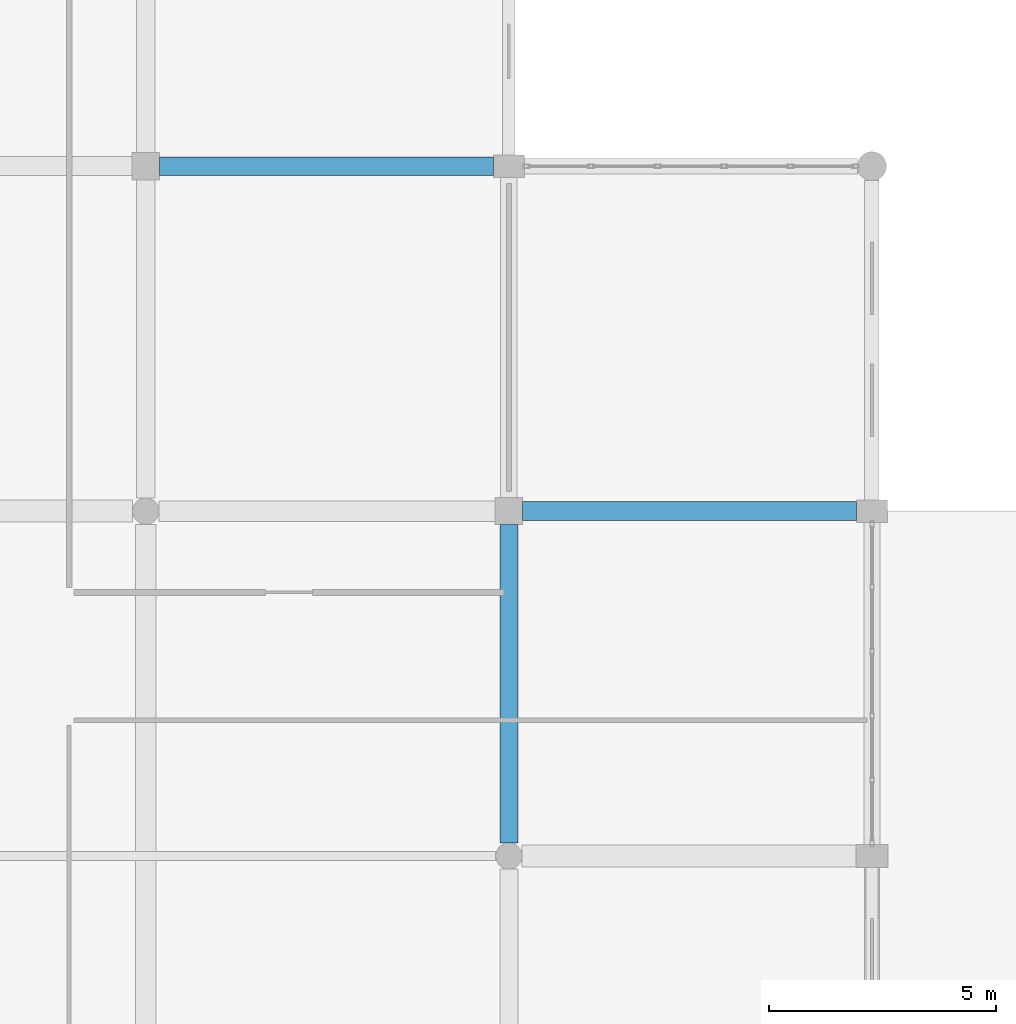
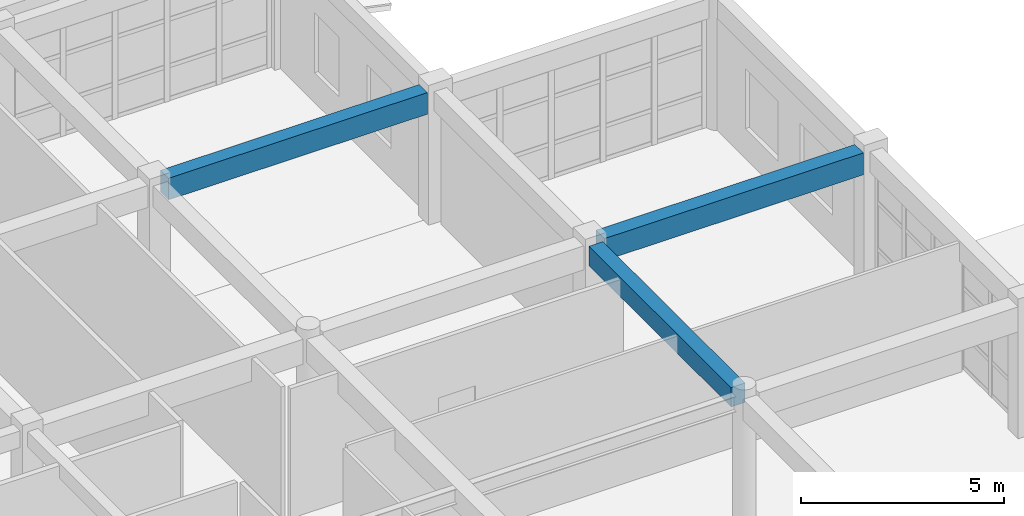
# One storey, part 23 of 121: 3 beams.
"""IFC4 building model written with IfcOpenShell, lengths in metres."""

from ifc_helpers import new_model, si_unit, direction, frame, origin, origin_2d, place, context, subcontext, project, spatial, rectangle, extrude, material, material_profile, profile_set, type_object, element, save


model = new_model("IFC4")

# Units and contexts
model_context = context("Model", 3, precision=1e-05, world=origin(), true_north=direction((0.0, 1.0)))
body_context = subcontext(model_context, "Body", "Model", "MODEL_VIEW")
ifc_project = project(units=[si_unit("LENGTHUNIT", "METRE"), si_unit("AREAUNIT", "SQUARE_METRE"), si_unit("VOLUMEUNIT", "CUBIC_METRE"), si_unit("PLANEANGLEUNIT", "RADIAN"), si_unit("MASSUNIT", "GRAM", prefix="KILO")], contexts=[model_context])

# Site, building, storey
site_placement = place(None, origin())
site = spatial("IfcSite", under=ifc_project, at=site_placement, CompositionType="ELEMENT")
building_placement = place(site_placement, origin())
building = spatial("IfcBuilding", under=site, at=building_placement, Name="Kharva Crest Polytechnic", CompositionType="ELEMENT")
storey_placement = place(building_placement, frame((0.0, 0.0, 13.199951171875)))
storey = spatial("IfcBuildingStorey", under=building, at=storey_placement, Name="L03", CompositionType="ELEMENT", Elevation=13.199951171875)

# Beams
ifc_material = material(Name="Concrete C35/45", Category="concrete")
ifc_material_profile_1 = material_profile(ifc_material, rectangle(XDim=0.39990234375, YDim=0.580078125, at=origin_2d()), Name="RECT 400 X 580")
ifc_profile_set_1 = profile_set([ifc_material_profile_1], Name="Concrete C35/45")
beam_type_1 = type_object("IfcBeamType", Name="BM-RC-400X580", PredefinedType="BEAM", material=ifc_profile_set_1)
beam_1_placement = place(storey_placement, frame((48.0, 15.489990234375, 3.670166015625), z_axis=(0.0, 1.0, 0.0), x_axis=(-1.0, 0.0, 0.0)))
element("IfcBeam", 1, at=beam_1_placement, inside=storey, type_object=beam_type_1, Name="L03 Girder 7/C-D", PredefinedType="BEAM", context=body_context, shape_type="SweptSolid", body=[
    extrude(rectangle(XDim=0.39990234375, YDim=0.580078125, at=origin_2d()), origin(), (0.0, 0.0, 1.0), 7.010009765625),
])
ifc_material_profile_2 = material_profile(ifc_material, rectangle(XDim=0.39990234375, YDim=0.64990234375, at=origin_2d()), Name="RECT 400 X 650")
ifc_profile_set_2 = profile_set([ifc_material_profile_2], Name="Concrete C35/45")
beam_type_2 = type_object("IfcBeamType", Name="BM-RC-400X650", PredefinedType="BEAM", material=ifc_profile_set_2)
beam_2_placement = place(storey_placement, frame((40.300048828125, 30.39990234375, 3.635009765625), z_axis=(1.0, 0.0, 0.0), x_axis=(0.0, 1.0, 0.0)))
element("IfcBeam", 2, at=beam_2_placement, inside=storey, type_object=beam_type_2, Name="L03 Beam E/6-7", PredefinedType="BEAM", context=body_context, shape_type="SweptSolid", body=[
    extrude(rectangle(XDim=0.39990234375, YDim=0.64990234375, at=origin_2d()), origin(), (0.0, 0.0, 1.0), 7.35986328125),
])
ifc_material_profile_3 = material_profile(ifc_material, rectangle(XDim=0.419921875, YDim=0.659912109375, at=origin_2d()), Name="RECT 420 X 660")
ifc_profile_set_3 = profile_set([ifc_material_profile_3], Name="Concrete C35/45")
beam_type_3 = type_object("IfcBeamType", Name="BM-RC-420X660", PredefinedType="BEAM", material=ifc_profile_set_3)
beam_3_placement = place(storey_placement, frame((48.300048828125, 22.800048828125, 3.630126953125), z_axis=(1.0, 0.0, 0.0), x_axis=(0.0, 1.0, 0.0)))
element("IfcBeam", 3, at=beam_3_placement, inside=storey, type_object=beam_type_3, Name="L03 Beam D/7-8", PredefinedType="BEAM", context=body_context, shape_type="SweptSolid", body=[
    extrude(rectangle(XDim=0.419921875, YDim=0.659912109375, at=origin_2d()), origin(), (0.0, 0.0, 1.0), 7.35986328125),
])

save(model, "model.ifc")
